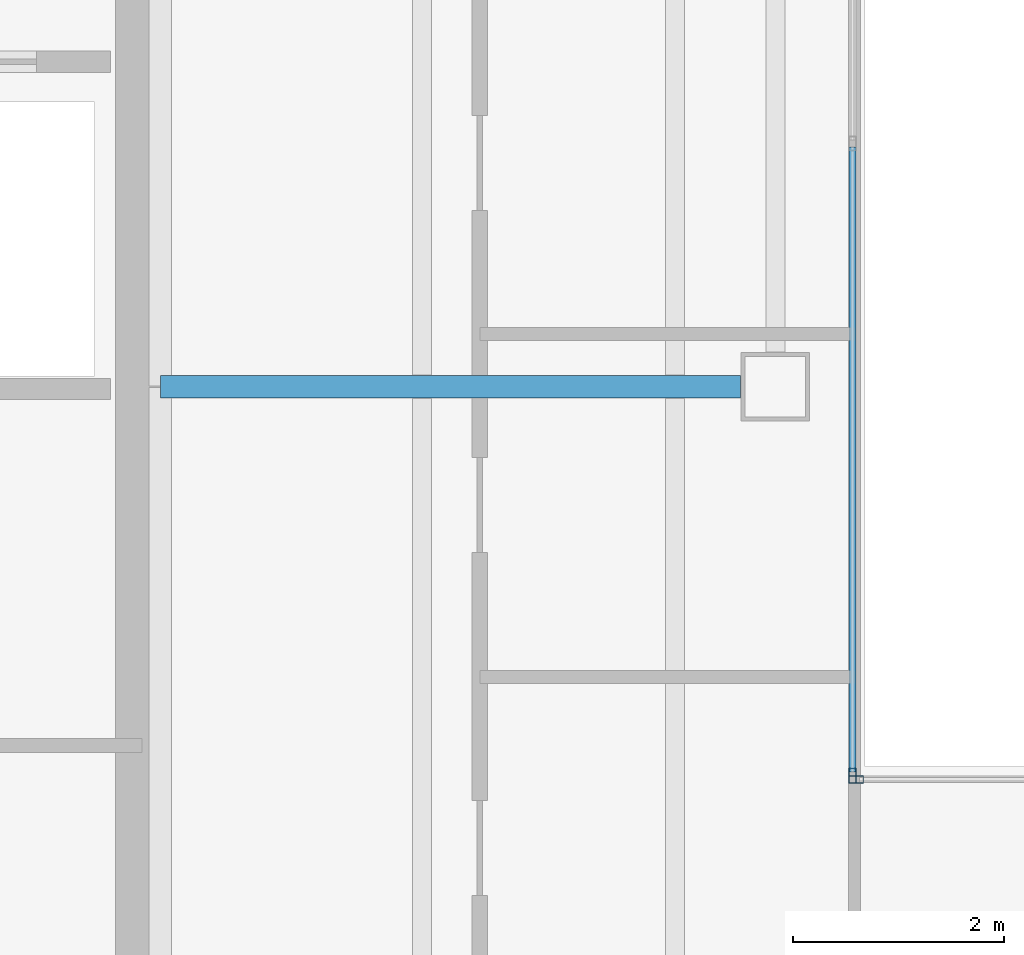
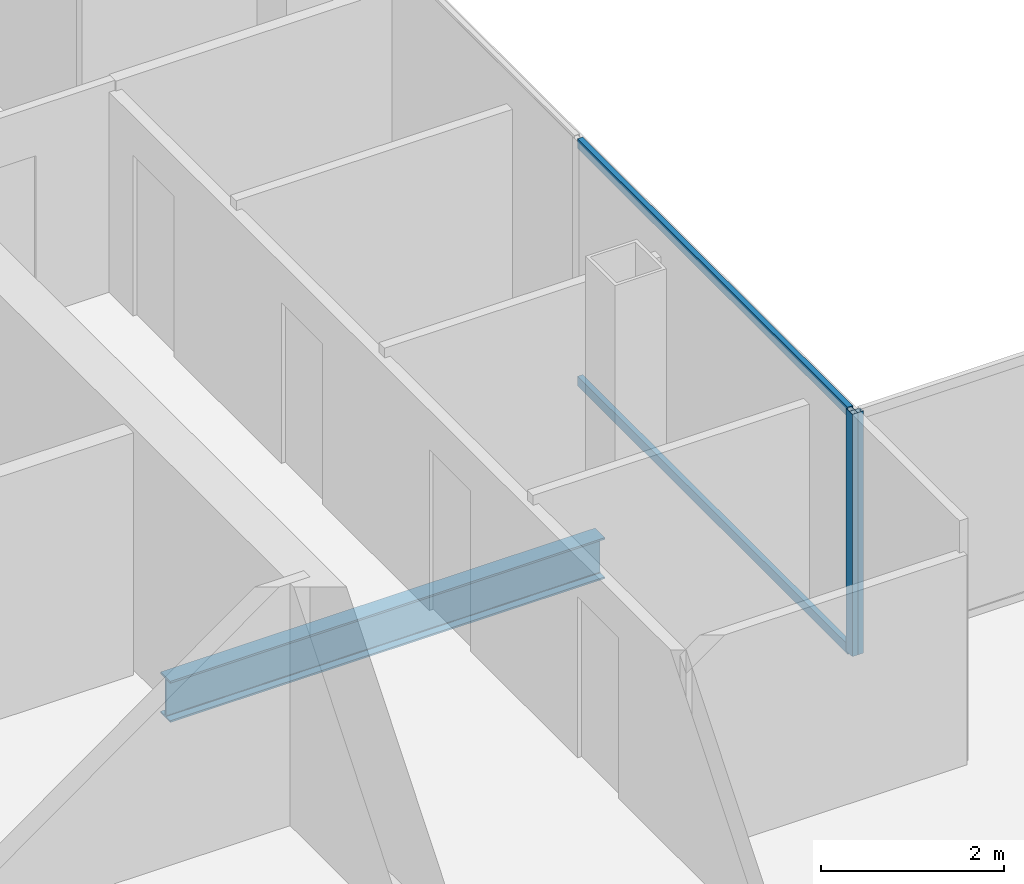
# One storey, part 8 of 24: 4 members, 1 beam, 2 elements without a shape of their own.
"""IFC4 building model written with IfcOpenShell, lengths in metres."""

from ifc_helpers import new_model, si_unit, direction, frame, origin, origin_2d, place, context, subcontext, project, spatial, hollow_rectangle, i_section, extrude, material, material_profile, profile_set, type_object, element, aggregate, save


model = new_model("IFC4")

# Units and contexts
model_context = context("Model", 3, precision=1e-05, world=origin(), true_north=direction((0.0, 1.0)))
body_context = subcontext(model_context, "Body", "Model", "MODEL_VIEW")
ifc_project = project(units=[si_unit("LENGTHUNIT", "METRE"), si_unit("AREAUNIT", "SQUARE_METRE"), si_unit("VOLUMEUNIT", "CUBIC_METRE"), si_unit("PLANEANGLEUNIT", "RADIAN"), si_unit("MASSUNIT", "GRAM", prefix="KILO")], contexts=[model_context])

# Site, building, storey
site_placement = place(None, origin())
site = spatial("IfcSite", under=ifc_project, at=site_placement, CompositionType="ELEMENT")
building_placement = place(site_placement, origin())
building = spatial("IfcBuilding", under=site, at=building_placement, Name="Cobrela Telecom Tower", CompositionType="ELEMENT")
storey_placement = place(building_placement, frame((0.0, 0.0, 244.64990234375)))
storey = spatial("IfcBuildingStorey", under=building, at=storey_placement, Name="L63", CompositionType="ELEMENT", Elevation=244.64990234375)

# Beam
ifc_material_1 = material(Name="Steel ASTM A992 Grade 50", Category="steel")
ifc_material_profile_1 = material_profile(ifc_material_1, i_section(OverallWidth=0.212890625, OverallDepth=0.549072265625, WebThickness=0.0146484375, FlangeThickness=0.023681640625, FilletRadius=0.013916015625, at=origin_2d()), Name="W21X93")
ifc_profile_set_1 = profile_set([ifc_material_profile_1], Name="Steel ASTM A992 Grade 50")
beam_type = type_object("IfcBeamType", Name="BM-GIRD-08", PredefinedType="USERDEFINED", material=ifc_profile_set_1)
beam_placement = place(storey_placement, frame((14.324951171875, 28.800048828125, -0.534423828125), z_axis=(1.0, 0.0, 0.0), x_axis=(0.0, 1.0, 0.0)))
element("IfcBeam", 1, at=beam_placement, inside=storey, type_object=beam_type, Name="L63 Primary Girder X15", ObjectType="GIRDER", PredefinedType="USERDEFINED", context=body_context, shape_type="SweptSolid", body=[
    extrude(i_section(OverallWidth=0.212890625, OverallDepth=0.549072265625, WebThickness=0.0146484375, FlangeThickness=0.023681640625, FilletRadius=0.013916015625, at=origin_2d()), origin(), (0.0, 0.0, 1.0), 5.4951171875),
])

# Curtain wall, member
ifc_material_2 = material(Name="Anodized Bronze Aluminium 6063-T6", Category="aluminium")
curtain_wall_type = type_object("IfcCurtainWallType", Name="CW-SYS-OFF-HI", PredefinedType="USERDEFINED", material=ifc_material_2)
curtain_wall_1_placement = place(storey_placement, origin())
curtain_wall_1 = element("IfcCurtainWall", 2, at=curtain_wall_1_placement, inside=storey, type_object=curtain_wall_type, Name="L63 Unitised Bronze Curtain Wall 08", ObjectType="UNITISED CURTAIN WALL", PredefinedType="USERDEFINED")
ifc_material_profile_2 = material_profile(ifc_material_2, hollow_rectangle(XDim=0.070068359375, YDim=0.139892578125, WallThickness=0.00390625, at=origin_2d()), Name="ALU 70x140x4")
ifc_profile_set_2 = profile_set([ifc_material_profile_2], Name="Anodized Bronze Aluminium 6063-T6")
member_type_1 = type_object("IfcMemberType", Name="CW-SYS-OFF-HI-MUL", PredefinedType="MULLION", material=ifc_profile_set_2)
member_1_placement = place(storey_placement, frame((20.8798828125, 25.114990234375, 0.0), z_axis=(0.0, 0.0, 1.0), x_axis=(1.0, 0.0, 0.0)))
member_1 = element("IfcMember", 3, at=member_1_placement, type_object=member_type_1, Name="CW-OFF-HI mullion 3", PredefinedType="MULLION", context=body_context, shape_type="SweptSolid", body=[
    extrude(hollow_rectangle(XDim=0.070068359375, YDim=0.139892578125, WallThickness=0.00390625, at=origin_2d()), origin(), (0.0, 0.0, 1.0), 3.239990234375),
])

curtain_wall_2_placement = place(storey_placement, origin())
curtain_wall_2 = element("IfcCurtainWall", 4, at=curtain_wall_2_placement, inside=storey, type_object=curtain_wall_type, Name="L63 Unitised Bronze Curtain Wall 09", ObjectType="UNITISED CURTAIN WALL", PredefinedType="USERDEFINED")
member_2_placement = place(storey_placement, frame((20.9150390625, 25.080078125, 0.0), z_axis=(0.0, 0.0, 1.0), x_axis=(0.0, 1.0, 0.0)))
member_2 = element("IfcMember", 5, at=member_2_placement, type_object=member_type_1, Name="CW-OFF-HI mullion 1", PredefinedType="MULLION", context=body_context, shape_type="SweptSolid", body=[
    extrude(hollow_rectangle(XDim=0.070068359375, YDim=0.139892578125, WallThickness=0.00390625, at=origin_2d()), origin(), (0.0, 0.0, 1.0), 3.239990234375),
])
aggregate(curtain_wall_2, [member_2])

# Member
ifc_material_profile_3 = material_profile(ifc_material_2, hollow_rectangle(XDim=0.06494140625, YDim=0.1298828125, WallThickness=0.00390625, at=origin_2d()), Name="ALU 65x130x4")
ifc_profile_set_3 = profile_set([ifc_material_profile_3], Name="Anodized Bronze Aluminium 6063-T6")
member_type_2 = type_object("IfcMemberType", Name="CW-SYS-OFF-HI-TRN", PredefinedType="USERDEFINED", material=ifc_profile_set_3)
member_3_placement = place(storey_placement, frame((20.8798828125, 31.070068359375, 0.03271484375), z_axis=(0.0, -1.0, 0.0), x_axis=(1.0, 0.0, 0.0)))
member_3 = element("IfcMember", 6, at=member_3_placement, type_object=member_type_2, Name="CW-OFF-HI transom 2.1", ObjectType="TRANSOM", PredefinedType="USERDEFINED", context=body_context, shape_type="SweptSolid", body=[
    extrude(hollow_rectangle(XDim=0.06494140625, YDim=0.1298828125, WallThickness=0.00390625, at=origin_2d()), origin(), (0.0, 0.0, 1.0), 5.920166015625),
])

member_4_placement = place(storey_placement, frame((20.8798828125, 31.070068359375, 3.20751953125), z_axis=(0.0, -1.0, 0.0), x_axis=(1.0, 0.0, 0.0)))
member_4 = element("IfcMember", 7, at=member_4_placement, type_object=member_type_2, Name="CW-OFF-HI transom 2.2", ObjectType="TRANSOM", PredefinedType="USERDEFINED", context=body_context, shape_type="SweptSolid", body=[
    extrude(hollow_rectangle(XDim=0.06494140625, YDim=0.1298828125, WallThickness=0.00390625, at=origin_2d()), origin(), (0.0, 0.0, 1.0), 5.920166015625),
])

aggregate(curtain_wall_1, [member_1, member_3, member_4])

save(model, "model.ifc")
